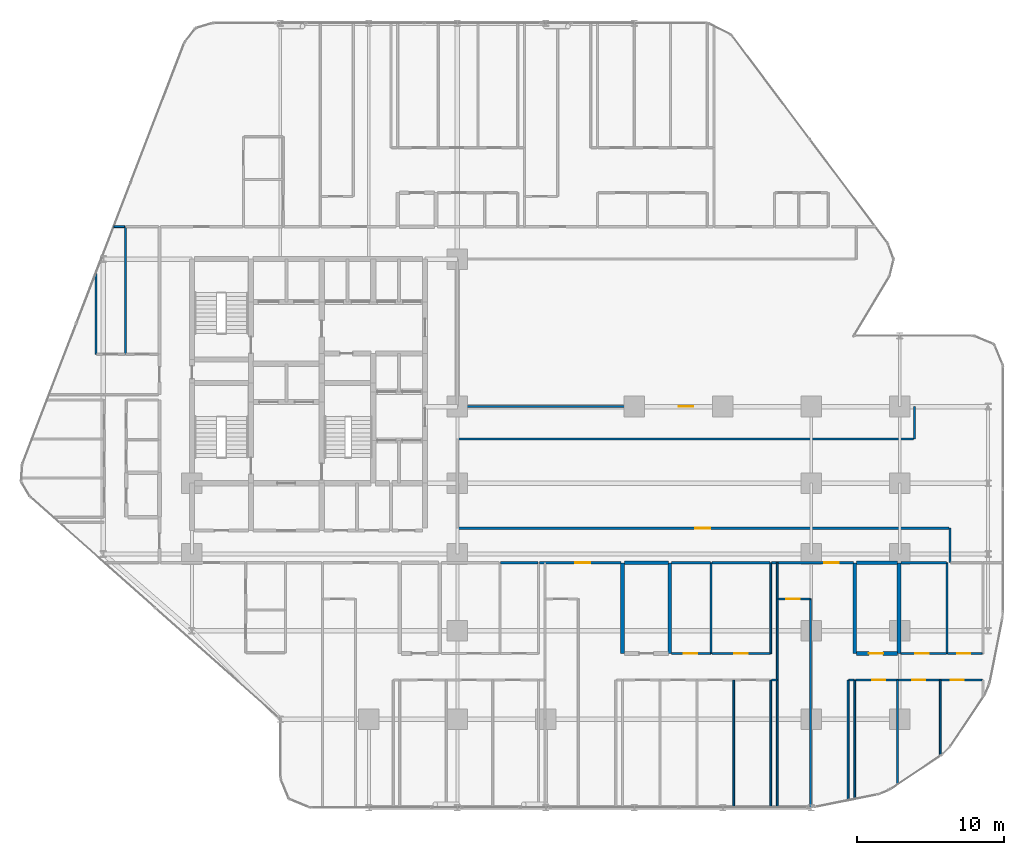
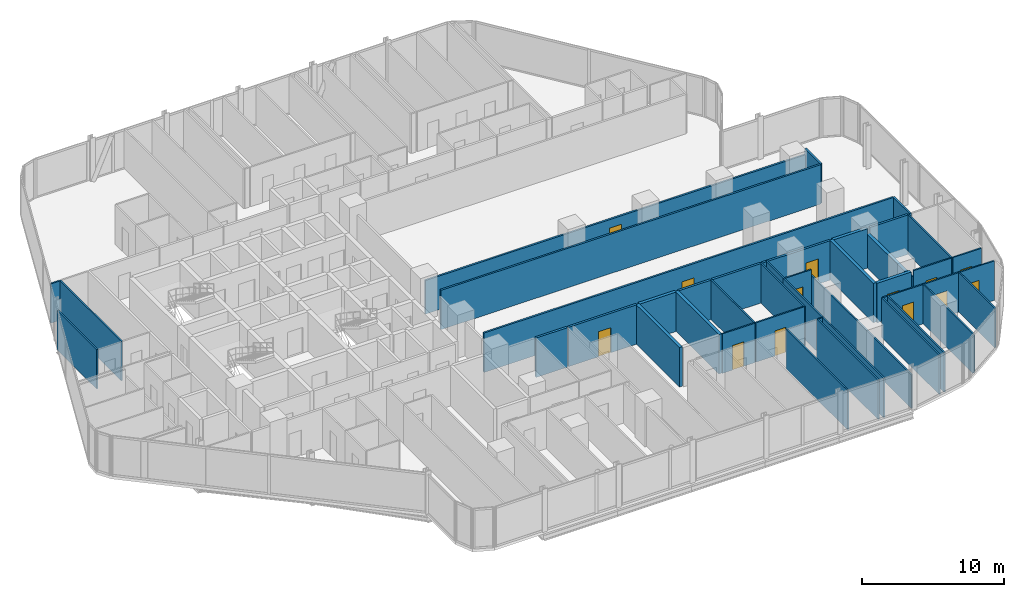
# One storey, part 29 of 33: 42 walls, 13 doors, 13 openings.
"""IFC4 building model written with IfcOpenShell, lengths in metres."""

from ifc_helpers import new_model, si_unit, direction, frame, frame_2d, origin, place, context, subcontext, project, spatial, rectangle, extrude, material, layer, layer_set, type_object, element, fill, save


model = new_model("IFC4")

# Units and contexts
model_context = context("Model", 3, precision=1e-05, world=origin(), true_north=direction((0.0, 1.0)))
body_context = subcontext(model_context, "Body", "Model", "MODEL_VIEW")
ifc_project = project(units=[si_unit("LENGTHUNIT", "METRE"), si_unit("AREAUNIT", "SQUARE_METRE"), si_unit("VOLUMEUNIT", "CUBIC_METRE"), si_unit("PLANEANGLEUNIT", "RADIAN"), si_unit("MASSUNIT", "GRAM", prefix="KILO")], contexts=[model_context])

# Site, building, storey
site_placement = place(None, origin())
site = spatial("IfcSite", under=ifc_project, at=site_placement, CompositionType="ELEMENT")
building_placement = place(site_placement, origin())
building = spatial("IfcBuilding", under=site, at=building_placement, Name="Keshet Zoharim Tower", CompositionType="ELEMENT")
storey_placement = place(building_placement, frame((0.0, 0.0, 35.10009765625)))
storey = spatial("IfcBuildingStorey", under=building, at=storey_placement, Name="L07", CompositionType="ELEMENT", Elevation=35.10009765625)

# Walls
ifc_material_1 = material(Name="Gypsum Plasterboard", Category="gypsum")
ifc_layer_1 = layer(ifc_material_1, 0.14990234375)
ifc_layer_set_1 = layer_set([ifc_layer_1], Name="Gypsum Plasterboard")
wall_type_1 = type_object("IfcWallType", Name="WL-CLIN-150", PredefinedType="STANDARD", material=ifc_layer_set_1)
wall_1_placement = place(storey_placement, frame((64.0, 25.699951171875, 0.0), z_axis=(0.0, 0.0, 1.0), x_axis=(0.0, 1.0, 0.0)))
element("IfcWall", 1, at=wall_1_placement, inside=storey, type_object=wall_type_1, Name="L07 Interior Wall 123", PredefinedType="STANDARD", context=body_context, shape_type="SweptSolid", body=[
    extrude(rectangle(XDim=2.199951171875, YDim=0.14990234375, at=frame_2d((1.10009765625, 0.0))), origin(), (0.0, 0.0, 1.0), 3.385009765625),
])
wall_2_placement = place(storey_placement, frame((66.39990234375, 17.31005859375, 0.0), z_axis=(0.0, 0.0, 1.0), x_axis=(0.0, 1.0, 0.0)))
element("IfcWall", 2, at=wall_2_placement, inside=storey, type_object=wall_type_1, Name="L07 Interior Wall 126", PredefinedType="STANDARD", context=body_context, shape_type="SweptSolid", body=[
    extrude(rectangle(XDim=2.33984375, YDim=0.14990234375, at=frame_2d((1.169921875, 0.0))), origin(), (0.0, 0.0, 1.0), 3.385009765625),
])

# Wall, opening, door
wall_3_placement = place(storey_placement, frame((33.070068359375, 19.64990234375, 0.0), z_axis=(0.0, 0.0, 1.0), x_axis=(1.0, 0.0, 0.0)))
wall_3 = element("IfcWall", 3, at=wall_3_placement, inside=storey, type_object=wall_type_1, Name="L07 Interior Wall 172", PredefinedType="STANDARD", context=body_context, shape_type="SweptSolid", body=[
    extrude(rectangle(XDim=33.27001953125, YDim=0.14990234375, at=frame_2d((16.635009765625, 0.0))), origin(), (0.0, 0.0, 1.0), 3.385009765625),
])
opening_1_placement = place(wall_3_placement, frame((16.06494140625, 0.0, 0.0)))
opening_1 = element("IfcOpeningElement", 4, at=opening_1_placement, cuts=wall_3, Name="Opening D-F310", PredefinedType="OPENING", context=body_context, shape_type="SweptSolid", body=[
    extrude(rectangle(XDim=1.0, YDim=2.14990234375, at=frame_2d((0.5, 1.074951171875))), frame((0.0, 0.0849609375, 0.0), z_axis=(0.0, -1.0, 0.0), x_axis=(1.0, 0.0, 0.0)), (0.0, 0.0, 1.0), 0.169921875),
])
ifc_material_2 = material(Name="Hardwood Timber", Category="wood")
door_type_1 = type_object("IfcDoorType", Name="DR-FD30-100", OperationType="NOTDEFINED", PredefinedType="DOOR", material=ifc_material_2)
door_1_placement = place(opening_1_placement, origin())
door_1 = element("IfcDoor", 5, at=door_1_placement, inside=storey, type_object=door_type_1, Name="L07 North East Residents Services Suite Door 1", OperationType="SINGLE_SWING_LEFT", OverallHeight=2.14990234375, OverallWidth=1.0, PredefinedType="DOOR", context=body_context, shape_type="SweptSolid", body=[
    extrude(rectangle(XDim=1.0, YDim=2.14990234375, at=frame_2d((0.5, 1.074951171875))), frame((0.0, 0.02490234375, 0.0), z_axis=(0.0, -1.0, 0.0), x_axis=(1.0, 0.0, 0.0)), (0.0, 0.0, 1.0), 0.050048828125),
])
fill(opening_1, door_1)

# Wall
wall_4_placement = place(storey_placement, frame((33.070068359375, 25.699951171875, 0.0), z_axis=(0.0, 0.0, 1.0), x_axis=(1.0, 0.0, 0.0)))
element("IfcWall", 6, at=wall_4_placement, inside=storey, type_object=wall_type_1, Name="L07 Interior Wall 186", PredefinedType="STANDARD", context=body_context, shape_type="SweptSolid", body=[
    extrude(rectangle(XDim=30.869873046875, YDim=0.14990234375, at=frame_2d((15.43505859375, 0.0))), origin(), (0.0, 0.0, 1.0), 3.385009765625),
])

# Wall, opening, door
wall_5_placement = place(storey_placement, frame((33.070068359375, 27.89990234375, 0.0), z_axis=(0.0, 0.0, 1.0), x_axis=(1.0, 0.0, 0.0)))
wall_5 = element("IfcWall", 7, at=wall_5_placement, inside=storey, type_object=wall_type_1, Name="L07 Interior Wall 187", PredefinedType="STANDARD", context=body_context, shape_type="SweptSolid", body=[
    extrude(rectangle(XDim=30.869873046875, YDim=0.14990234375, at=frame_2d((15.43505859375, 0.0))), origin(), (0.0, 0.0, 1.0), 2.885009765625),
])
opening_2_placement = place(wall_5_placement, frame((14.93505859375, 0.0, 0.0)))
opening_2 = element("IfcOpeningElement", 8, at=opening_2_placement, cuts=wall_5, Name="Opening D-F310", PredefinedType="OPENING", context=body_context, shape_type="SweptSolid", body=[
    extrude(rectangle(XDim=1.0, YDim=2.14990234375, at=frame_2d((0.5, 1.074951171875))), frame((0.0, 0.0849609375, 0.0), z_axis=(0.0, -1.0, 0.0), x_axis=(1.0, 0.0, 0.0)), (0.0, 0.0, 1.0), 0.169921875),
])
door_2_placement = place(opening_2_placement, origin())
door_2 = element("IfcDoor", 9, at=door_2_placement, inside=storey, type_object=door_type_1, Name="L07 North East Residents Services Suite Door 2", OperationType="SINGLE_SWING_LEFT", OverallHeight=2.14990234375, OverallWidth=1.0, PredefinedType="DOOR", context=body_context, shape_type="SweptSolid", body=[
    extrude(rectangle(XDim=1.0, YDim=2.14990234375, at=frame_2d((0.5, 1.074951171875))), frame((0.0, 0.02490234375, 0.0), z_axis=(0.0, -1.0, 0.0), x_axis=(1.0, 0.0, 0.0)), (0.0, 0.0, 1.0), 0.050048828125),
])
fill(opening_2, door_2)

# Wall
ifc_layer_2 = layer(ifc_material_1, 0.179931640625)
ifc_layer_set_2 = layer_set([ifc_layer_2], Name="Gypsum Plasterboard")
wall_type_2 = type_object("IfcWallType", Name="WL-CORR-180", PredefinedType="STANDARD", material=ifc_layer_set_2)
wall_6_placement = place(storey_placement, frame((35.925048828125, 17.300048828125, 0.0), z_axis=(0.0, 0.0, 1.0), x_axis=(1.0, 0.0, 0.0)))
element("IfcWall", 10, at=wall_6_placement, inside=storey, type_object=wall_type_2, Name="L07 Interior Wall 158", PredefinedType="STANDARD", context=body_context, shape_type="SweptSolid", body=[
    extrude(rectangle(XDim=2.550048828125, YDim=0.179931640625, at=frame_2d((1.27490234375, 0.0))), origin(), (0.0, 0.0, 1.0), 3.385009765625),
])

# Wall, opening, door
wall_7_placement = place(storey_placement, frame((38.56494140625, 17.300048828125, 0.0), z_axis=(0.0, 0.0, 1.0), x_axis=(1.0, 0.0, 0.0)))
wall_7 = element("IfcWall", 11, at=wall_7_placement, inside=storey, type_object=wall_type_2, Name="L07 Interior Wall 159", PredefinedType="STANDARD", context=body_context, shape_type="SweptSolid", body=[
    extrude(rectangle(XDim=5.545166015625, YDim=0.179931640625, at=frame_2d((2.7724609375, 0.0))), origin(), (0.0, 0.0, 1.0), 3.385009765625),
])
opening_3_placement = place(wall_7_placement, frame((2.43505859375, 0.0, 0.0)))
opening_3 = element("IfcOpeningElement", 12, at=opening_3_placement, cuts=wall_7, Name="Opening D-F310", PredefinedType="OPENING", context=body_context, shape_type="SweptSolid", body=[
    extrude(rectangle(XDim=1.0, YDim=2.14990234375, at=frame_2d((0.5, 1.074951171875))), frame((0.0, 0.10009765625, 0.0), z_axis=(0.0, -1.0, 0.0), x_axis=(1.0, 0.0, 0.0)), (0.0, 0.0, 1.0), 0.199951171875),
])
door_3_placement = place(opening_3_placement, origin())
door_3 = element("IfcDoor", 13, at=door_3_placement, inside=storey, type_object=door_type_1, Name="Apartment 0703 Entrance Door", OperationType="SINGLE_SWING_RIGHT", OverallHeight=2.14990234375, OverallWidth=1.0, PredefinedType="DOOR", context=body_context, shape_type="SweptSolid", body=[
    extrude(rectangle(XDim=1.0, YDim=2.14990234375, at=frame_2d((0.5, 1.074951171875))), frame((0.0, 0.02490234375, 0.0), z_axis=(0.0, -1.0, 0.0), x_axis=(1.0, 0.0, 0.0)), (0.0, 0.0, 1.0), 0.050048828125),
])
fill(opening_3, door_3)

# Walls
wall_8_placement = place(storey_placement, frame((47.52294921875, 17.300048828125, 0.0), z_axis=(0.0, 0.0, 1.0), x_axis=(1.0, 0.0, 0.0)))
element("IfcWall", 14, at=wall_8_placement, inside=storey, type_object=wall_type_2, Name="L07 Interior Wall 161", PredefinedType="STANDARD", context=body_context, shape_type="SweptSolid", body=[
    extrude(rectangle(XDim=2.656005859375, YDim=0.179931640625, at=frame_2d((1.328125, 0.0))), origin(), (0.0, 0.0, 1.0), 3.385009765625),
])
wall_9_placement = place(storey_placement, frame((50.26904296875, 17.300048828125, 0.0), z_axis=(0.0, 0.0, 1.0), x_axis=(1.0, 0.0, 0.0)))
element("IfcWall", 15, at=wall_9_placement, inside=storey, type_object=wall_type_2, Name="L07 Interior Wall 162", PredefinedType="STANDARD", context=body_context, shape_type="SweptSolid", body=[
    extrude(rectangle(XDim=3.946044921875, YDim=0.179931640625, at=frame_2d((1.97314453125, 0.0))), origin(), (0.0, 0.0, 1.0), 3.385009765625),
])

# Wall, opening, door
wall_10_placement = place(storey_placement, frame((54.304931640625, 17.300048828125, 0.0), z_axis=(0.0, 0.0, 1.0), x_axis=(1.0, 0.0, 0.0)))
wall_10 = element("IfcWall", 16, at=wall_10_placement, inside=storey, type_object=wall_type_2, Name="L07 Interior Wall 163", PredefinedType="STANDARD", context=body_context, shape_type="SweptSolid", body=[
    extrude(rectangle(XDim=5.545166015625, YDim=0.179931640625, at=frame_2d((2.7724609375, 0.0))), origin(), (0.0, 0.0, 1.0), 3.385009765625),
])
opening_4_placement = place(wall_10_placement, frame((3.56005859375, 0.0, 0.0)))
opening_4 = element("IfcOpeningElement", 17, at=opening_4_placement, cuts=wall_10, Name="Opening D-F310", PredefinedType="OPENING", context=body_context, shape_type="SweptSolid", body=[
    extrude(rectangle(XDim=1.0, YDim=2.14990234375, at=frame_2d((0.5, 1.074951171875))), frame((0.0, 0.10009765625, 0.0), z_axis=(0.0, -1.0, 0.0), x_axis=(1.0, 0.0, 0.0)), (0.0, 0.0, 1.0), 0.199951171875),
])
door_4_placement = place(opening_4_placement, origin())
door_4 = element("IfcDoor", 18, at=door_4_placement, inside=storey, type_object=door_type_1, Name="Apartment 0704 Entrance Door", OperationType="SINGLE_SWING_LEFT", OverallHeight=2.14990234375, OverallWidth=1.0, PredefinedType="DOOR", context=body_context, shape_type="SweptSolid", body=[
    extrude(rectangle(XDim=1.0, YDim=2.14990234375, at=frame_2d((0.5, 1.074951171875))), frame((0.0, 0.02490234375, 0.0), z_axis=(0.0, -1.0, 0.0), x_axis=(1.0, 0.0, 0.0)), (0.0, 0.0, 1.0), 0.050048828125),
])
fill(opening_4, door_4)

# Walls
wall_11_placement = place(storey_placement, frame((63.070068359375, 17.300048828125, 0.0), z_axis=(0.0, 0.0, 1.0), x_axis=(1.0, 0.0, 0.0)))
element("IfcWall", 19, at=wall_11_placement, inside=storey, type_object=wall_type_2, Name="L07 Interior Wall 165", PredefinedType="STANDARD", context=body_context, shape_type="SweptSolid", body=[
    extrude(rectangle(XDim=3.087890625, YDim=0.179931640625, at=frame_2d((1.5439453125, 0.0))), origin(), (0.0, 0.0, 1.0), 3.385009765625),
])
ifc_material_3 = material(Name="Concrete C50/60", Category="concrete")
ifc_layer_3 = layer(ifc_material_3, 0.25)
ifc_layer_set_3 = layer_set([ifc_layer_3], Name="Concrete C50/60")
wall_type_3 = type_object("IfcWallType", Name="WL-MAMAD-250", PredefinedType="STANDARD", material=ifc_layer_set_3)
for number, where, z_axis, x_axis, name in (
    (20, (44.199951171875, 11.14990234375, 0.0), (0.0, 0.0, 1.0), (0.0, 1.0, 0.0), "L07 Interior Wall 095"),
    (21, (47.39990234375, 11.14990234375, 0.0), (0.0, 0.0, 1.0), (0.0, 1.0, 0.0), "L07 Interior Wall 099"),
    (22, (59.949951171875, 11.14990234375, 0.0), (0.0, 0.0, 1.0), (0.0, 1.0, 0.0), "L07 Interior Wall 119"),
):
    element("IfcWall", number, at=place(storey_placement, frame(where, z_axis=z_axis, x_axis=x_axis)), inside=storey, type_object=wall_type_3, Name=name, PredefinedType="STANDARD", context=body_context, shape_type="SweptSolid", body=[
        extrude(rectangle(XDim=6.150146484375, YDim=0.25, at=frame_2d((3.0751953125, 0.0))), origin(), (0.0, 0.0, 1.0), 3.385009765625),
    ])
wall_12_placement = place(storey_placement, frame((62.949951171875, 11.14990234375, 0.0), z_axis=(0.0, 0.0, 1.0), x_axis=(0.0, 1.0, 0.0)))
element("IfcWall", 23, at=wall_12_placement, inside=storey, type_object=wall_type_3, Name="L07 Interior Wall 122", PredefinedType="STANDARD", context=body_context, shape_type="SweptSolid", body=[
    extrude(rectangle(XDim=6.150146484375, YDim=0.25, at=frame_2d((3.0751953125, 0.0))), origin(), (0.0, 0.0, 1.0), 2.885009765625),
])

# Wall, opening, door
wall_13_placement = place(storey_placement, frame((60.070068359375, 11.14990234375, 0.0), z_axis=(0.0, 0.0, 1.0), x_axis=(1.0, 0.0, 0.0)))
wall_13 = element("IfcWall", 24, at=wall_13_placement, inside=storey, type_object=wall_type_3, Name="L07 Interior Wall 143", PredefinedType="STANDARD", context=body_context, shape_type="SweptSolid", body=[
    extrude(rectangle(XDim=2.780029296875, YDim=0.25, at=frame_2d((1.39013671875, 0.0))), origin(), (0.0, 0.0, 1.0), 3.385009765625),
])
opening_5_placement = place(wall_13_placement, frame((0.844970703125, 0.0, 0.0)))
opening_5 = element("IfcOpeningElement", 25, at=opening_5_placement, cuts=wall_13, Name="Opening D-F695", PredefinedType="OPENING", context=body_context, shape_type="SweptSolid", body=[
    extrude(rectangle(XDim=0.949951171875, YDim=2.14990234375, at=frame_2d((0.47509765625, 1.074951171875))), frame((0.0, 0.135009765625, 0.0), z_axis=(0.0, -1.0, 0.0), x_axis=(1.0, 0.0, 0.0)), (0.0, 0.0, 1.0), 0.27001953125),
])
door_type_2 = type_object("IfcDoorType", Name="DR-FD60-095", OperationType="NOTDEFINED", PredefinedType="DOOR", material=ifc_material_2)
door_5_placement = place(opening_5_placement, origin())
door_5 = element("IfcDoor", 26, at=door_5_placement, inside=storey, type_object=door_type_2, Name="Apartment 0704 Study and Shelter Room Door", OperationType="SINGLE_SWING_RIGHT", OverallHeight=2.14990234375, OverallWidth=0.949951171875, PredefinedType="DOOR", context=body_context, shape_type="SweptSolid", body=[
    extrude(rectangle(XDim=0.949951171875, YDim=2.14990234375, at=frame_2d((0.47509765625, 1.074951171875))), frame((0.0, 0.02490234375, 0.0), z_axis=(0.0, -1.0, 0.0), x_axis=(1.0, 0.0, 0.0)), (0.0, 0.0, 1.0), 0.050048828125),
])
fill(opening_5, door_5)

# Walls
wall_14_placement = place(storey_placement, frame((44.330078125, 17.300048828125, 0.0), z_axis=(0.0, 0.0, 1.0), x_axis=(1.0, 0.0, 0.0)))
element("IfcWall", 27, at=wall_14_placement, inside=storey, type_object=wall_type_3, Name="L07 Interior Wall 160", PredefinedType="STANDARD", context=body_context, shape_type="SweptSolid", body=[
    extrude(rectangle(XDim=2.972900390625, YDim=0.25, at=frame_2d((1.486328125, 0.0))), origin(), (0.0, 0.0, 1.0), 3.385009765625),
])
wall_15_placement = place(storey_placement, frame((60.070068359375, 17.300048828125, 0.0), z_axis=(0.0, 0.0, 1.0), x_axis=(1.0, 0.0, 0.0)))
element("IfcWall", 28, at=wall_15_placement, inside=storey, type_object=wall_type_3, Name="L07 Interior Wall 164", PredefinedType="STANDARD", context=body_context, shape_type="SweptSolid", body=[
    extrude(rectangle(XDim=2.780029296875, YDim=0.25, at=frame_2d((1.39013671875, 0.0))), origin(), (0.0, 0.0, 1.0), 3.385009765625),
])
ifc_layer_4 = layer(ifc_material_1, 0.1201171875)
ifc_layer_set_4 = layer_set([ifc_layer_4], Name="Gypsum Plasterboard")
wall_type_4 = type_object("IfcWallType", Name="WL-PART-120", PredefinedType="PARTITIONING", material=ifc_layer_set_4)
wall_16_placement = place(storey_placement, frame((8.5, 31.449951171875, 0.0), z_axis=(0.0, 0.0, 1.0), x_axis=(0.0, 1.0, 0.0)))
element("IfcWall", 29, at=wall_16_placement, inside=storey, type_object=wall_type_4, Name="L07 Interior Wall 001", PredefinedType="PARTITIONING", context=body_context, shape_type="SweptSolid", body=[
    extrude(rectangle(XDim=5.5400390625, YDim=0.1201171875, at=frame_2d((2.77001953125, 0.0))), origin(), (0.0, 0.0, 1.0), 3.385009765625),
])
for number, where, z_axis, x_axis, name in (
    (30, (51.75, 0.7099609375, 0.0), (0.0, 0.0, 1.0), (0.0, 1.0, 0.0), "L07 Interior Wall 107"),
    (31, (54.25, 0.7099609375, 0.0), (0.0, 0.0, 1.0), (0.0, 1.0, 0.0), "L07 Interior Wall 108"),
):
    element("IfcWall", number, at=place(storey_placement, frame(where, z_axis=z_axis, x_axis=x_axis)), inside=storey, type_object=wall_type_4, Name=name, PredefinedType="PARTITIONING", context=body_context, shape_type="SweptSolid", body=[
        extrude(rectangle(XDim=8.64013671875, YDim=0.1201171875, at=frame_2d((4.320068359375, 0.0))), origin(), (0.0, 0.0, 1.0), 3.385009765625),
    ])
wall_17_placement = place(storey_placement, frame((54.25, 11.14990234375, 0.0), z_axis=(0.0, 0.0, 1.0), x_axis=(0.0, 1.0, 0.0)))
element("IfcWall", 32, at=wall_17_placement, inside=storey, type_object=wall_type_4, Name="L07 Interior Wall 109", PredefinedType="PARTITIONING", context=body_context, shape_type="SweptSolid", body=[
    extrude(rectangle(XDim=6.150146484375, YDim=0.1201171875, at=frame_2d((3.0751953125, 0.0))), origin(), (0.0, 0.0, 1.0), 3.385009765625),
])
wall_18_placement = place(storey_placement, frame((54.699951171875, 0.7099609375, 0.0), z_axis=(0.0, 0.0, 1.0), x_axis=(0.0, 1.0, 0.0)))
element("IfcWall", 33, at=wall_18_placement, inside=storey, type_object=wall_type_4, Name="L07 Interior Wall 111", PredefinedType="PARTITIONING", context=body_context, shape_type="SweptSolid", body=[
    extrude(rectangle(XDim=8.64013671875, YDim=0.1201171875, at=frame_2d((4.320068359375, 0.0))), origin(), (0.0, 0.0, 1.0), 3.385009765625),
])
wall_19_placement = place(storey_placement, frame((54.699951171875, 9.35009765625, 0.0), z_axis=(0.0, 0.0, 1.0), x_axis=(0.0, 1.0, 0.0)))
element("IfcWall", 34, at=wall_19_placement, inside=storey, type_object=wall_type_4, Name="L07 Interior Wall 112", PredefinedType="PARTITIONING", context=body_context, shape_type="SweptSolid", body=[
    extrude(rectangle(XDim=5.5, YDim=0.1201171875, at=frame_2d((2.75, 0.0))), origin(), (0.0, 0.0, 1.0), 3.385009765625),
])
wall_20_placement = place(storey_placement, frame((54.699951171875, 14.85009765625, 0.0), z_axis=(0.0, 0.0, 1.0), x_axis=(0.0, 1.0, 0.0)))
element("IfcWall", 35, at=wall_20_placement, inside=storey, type_object=wall_type_4, Name="L07 Interior Wall 113", PredefinedType="PARTITIONING", context=body_context, shape_type="SweptSolid", body=[
    extrude(rectangle(XDim=2.449951171875, YDim=0.1201171875, at=frame_2d((1.22509765625, 0.0))), origin(), (0.0, 0.0, 1.0), 3.385009765625),
])
wall_21_placement = place(storey_placement, frame((56.949951171875, 0.72412109375, 0.0), z_axis=(0.0, 0.0, 1.0), x_axis=(0.0, 1.0, 0.0)))
element("IfcWall", 36, at=wall_21_placement, inside=storey, type_object=wall_type_4, Name="L07 Interior Wall 115", PredefinedType="PARTITIONING", context=body_context, shape_type="SweptSolid", body=[
    extrude(rectangle(XDim=14.1259765625, YDim=0.1201171875, at=frame_2d((7.06298828125, 0.0))), origin(), (0.0, 0.0, 1.0), 2.885009765625),
])
wall_22_placement = place(storey_placement, frame((59.5, 1.20703125, 0.0), z_axis=(0.0, 0.0, 1.0), x_axis=(0.0, 1.0, 0.0)))
element("IfcWall", 37, at=wall_22_placement, inside=storey, type_object=wall_type_4, Name="L07 Interior Wall 117", PredefinedType="PARTITIONING", context=body_context, shape_type="SweptSolid", body=[
    extrude(rectangle(XDim=8.14306640625, YDim=0.1201171875, at=frame_2d((4.071533203125, 0.0))), origin(), (0.0, 0.0, 1.0), 3.385009765625),
])
wall_23_placement = place(storey_placement, frame((59.949951171875, 1.297119140625, 0.0), z_axis=(0.0, 0.0, 1.0), x_axis=(0.0, 1.0, 0.0)))
element("IfcWall", 38, at=wall_23_placement, inside=storey, type_object=wall_type_4, Name="L07 Interior Wall 118", PredefinedType="PARTITIONING", context=body_context, shape_type="SweptSolid", body=[
    extrude(rectangle(XDim=8.052978515625, YDim=0.1201171875, at=frame_2d((4.0263671875, 0.0))), origin(), (0.0, 0.0, 1.0), 3.385009765625),
])
wall_24_placement = place(storey_placement, frame((62.85009765625, 2.283935546875, 0.0), z_axis=(0.0, 0.0, 1.0), x_axis=(0.0, 1.0, 0.0)))
element("IfcWall", 39, at=wall_24_placement, inside=storey, type_object=wall_type_4, Name="L07 Interior Wall 121", PredefinedType="PARTITIONING", context=body_context, shape_type="SweptSolid", body=[
    extrude(rectangle(XDim=7.066162109375, YDim=0.1201171875, at=frame_2d((3.533203125, 0.0))), origin(), (0.0, 0.0, 1.0), 3.385009765625),
])
wall_25_placement = place(storey_placement, frame((65.75, 4.221923828125, 0.0), z_axis=(0.0, 0.0, 1.0), x_axis=(0.0, 1.0, 0.0)))
element("IfcWall", 40, at=wall_25_placement, inside=storey, type_object=wall_type_4, Name="L07 Interior Wall 124", PredefinedType="PARTITIONING", context=body_context, shape_type="SweptSolid", body=[
    extrude(rectangle(XDim=5.128173828125, YDim=0.1201171875, at=frame_2d((2.56396484375, 0.0))), origin(), (0.0, 0.0, 1.0), 3.385009765625),
])
for number, where, z_axis, x_axis, name in (
    (41, (54.304931640625, 9.35009765625, 0.0), (0.0, 0.0, 1.0), (1.0, 0.0, 0.0), "L07 Interior Wall 134"),
    (42, (59.554931640625, 9.35009765625, 0.0), (0.0, 0.0, 1.0), (1.0, 0.0, 0.0), "L07 Interior Wall 135"),
):
    element("IfcWall", number, at=place(storey_placement, frame(where, z_axis=z_axis, x_axis=x_axis)), inside=storey, type_object=wall_type_4, Name=name, PredefinedType="PARTITIONING", context=body_context, shape_type="SweptSolid", body=[
        extrude(rectangle(XDim=0.360107421875, YDim=0.1201171875, at=frame_2d((0.18017578125, 0.0))), origin(), (0.0, 0.0, 1.0), 3.385009765625),
    ])

# Wall, openings, doors
wall_26_placement = place(storey_placement, frame((60.0048828125, 9.35009765625, 0.0), z_axis=(0.0, 0.0, 1.0), x_axis=(1.0, 0.0, 0.0)))
wall_26 = element("IfcWall", 43, at=wall_26_placement, inside=storey, type_object=wall_type_4, Name="L07 Interior Wall 136", PredefinedType="PARTITIONING", context=body_context, shape_type="SweptSolid", body=[
    extrude(rectangle(XDim=8.5810546875, YDim=0.1201171875, at=frame_2d((4.29052734375, 0.0))), origin(), (0.0, 0.0, 1.0), 3.385009765625),
])
opening_6_placement = place(wall_26_placement, frame((1.125, 0.0, 0.0)))
opening_6 = element("IfcOpeningElement", 44, at=opening_6_placement, cuts=wall_26, Name="Opening D-IN90", PredefinedType="OPENING", context=body_context, shape_type="SweptSolid", body=[
    extrude(rectangle(XDim=0.89990234375, YDim=2.14990234375, at=frame_2d((0.449951171875, 1.074951171875))), frame((0.0, 0.070068359375, 0.0), z_axis=(0.0, -1.0, 0.0), x_axis=(1.0, 0.0, 0.0)), (0.0, 0.0, 1.0), 0.14013671875),
])
opening_7_placement = place(wall_26_placement, frame((3.841064453125, 0.0, 0.0)))
opening_7 = element("IfcOpeningElement", 45, at=opening_7_placement, cuts=wall_26, Name="Opening D-IN90", PredefinedType="OPENING", context=body_context, shape_type="SweptSolid", body=[
    extrude(rectangle(XDim=0.89990234375, YDim=2.14990234375, at=frame_2d((0.449951171875, 1.074951171875))), frame((0.0, 0.070068359375, 0.0), z_axis=(0.0, -1.0, 0.0), x_axis=(1.0, 0.0, 0.0)), (0.0, 0.0, 1.0), 0.14013671875),
])
opening_8_placement = place(wall_26_placement, frame((6.43994140625, 0.0, 0.0)))
opening_8 = element("IfcOpeningElement", 46, at=opening_8_placement, cuts=wall_26, Name="Opening D-IN90", PredefinedType="OPENING", context=body_context, shape_type="SweptSolid", body=[
    extrude(rectangle(XDim=0.89990234375, YDim=2.14990234375, at=frame_2d((0.449951171875, 1.074951171875))), frame((0.0, 0.070068359375, 0.0), z_axis=(0.0, -1.0, 0.0), x_axis=(1.0, 0.0, 0.0)), (0.0, 0.0, 1.0), 0.14013671875),
])
door_type_3 = type_object("IfcDoorType", Name="DR-INT-090", OperationType="NOTDEFINED", PredefinedType="DOOR", material=ifc_material_2)
door_6_placement = place(opening_6_placement, origin())
door_6 = element("IfcDoor", 47, at=door_6_placement, inside=storey, type_object=door_type_3, Name="Apartment 0704 Bedroom 1 Door", OperationType="SINGLE_SWING_LEFT", OverallHeight=2.14990234375, OverallWidth=0.89990234375, PredefinedType="DOOR", context=body_context, shape_type="SweptSolid", body=[
    extrude(rectangle(XDim=0.89990234375, YDim=2.14990234375, at=frame_2d((0.449951171875, 1.074951171875))), frame((0.0, 0.02490234375, 0.0), z_axis=(0.0, -1.0, 0.0), x_axis=(1.0, 0.0, 0.0)), (0.0, 0.0, 1.0), 0.050048828125),
])
fill(opening_6, door_6)
door_7_placement = place(opening_7_placement, origin())
door_7 = element("IfcDoor", 48, at=door_7_placement, inside=storey, type_object=door_type_3, Name="Apartment 0704 Bedroom 2 Door", OperationType="SINGLE_SWING_RIGHT", OverallHeight=2.14990234375, OverallWidth=0.89990234375, PredefinedType="DOOR", context=body_context, shape_type="SweptSolid", body=[
    extrude(rectangle(XDim=0.89990234375, YDim=2.14990234375, at=frame_2d((0.449951171875, 1.074951171875))), frame((0.0, 0.02490234375, 0.0), z_axis=(0.0, -1.0, 0.0), x_axis=(1.0, 0.0, 0.0)), (0.0, 0.0, 1.0), 0.050048828125),
])
fill(opening_7, door_7)
door_8_placement = place(opening_8_placement, origin())
door_8 = element("IfcDoor", 49, at=door_8_placement, inside=storey, type_object=door_type_3, Name="Apartment 0704 Bedroom 3 Door", OperationType="SINGLE_SWING_LEFT", OverallHeight=2.14990234375, OverallWidth=0.89990234375, PredefinedType="DOOR", context=body_context, shape_type="SweptSolid", body=[
    extrude(rectangle(XDim=0.89990234375, YDim=2.14990234375, at=frame_2d((0.449951171875, 1.074951171875))), frame((0.0, 0.02490234375, 0.0), z_axis=(0.0, -1.0, 0.0), x_axis=(1.0, 0.0, 0.0)), (0.0, 0.0, 1.0), 0.050048828125),
])
fill(opening_8, door_8)

# Wall, opening, door
wall_27_placement = place(storey_placement, frame((50.26904296875, 11.14990234375, 0.0), z_axis=(0.0, 0.0, 1.0), x_axis=(1.0, 0.0, 0.0)))
wall_27 = element("IfcWall", 50, at=wall_27_placement, inside=storey, type_object=wall_type_4, Name="L07 Interior Wall 142", PredefinedType="PARTITIONING", context=body_context, shape_type="SweptSolid", body=[
    extrude(rectangle(XDim=3.946044921875, YDim=0.1201171875, at=frame_2d((1.97314453125, 0.0))), origin(), (0.0, 0.0, 1.0), 3.385009765625),
])
opening_9_placement = place(wall_27_placement, frame((1.52294921875, 0.0, 0.0)))
opening_9 = element("IfcOpeningElement", 51, at=opening_9_placement, cuts=wall_27, Name="Opening D-IN90", PredefinedType="OPENING", context=body_context, shape_type="SweptSolid", body=[
    extrude(rectangle(XDim=0.89990234375, YDim=2.14990234375, at=frame_2d((0.449951171875, 1.074951171875))), frame((0.0, 0.070068359375, 0.0), z_axis=(0.0, -1.0, 0.0), x_axis=(1.0, 0.0, 0.0)), (0.0, 0.0, 1.0), 0.14013671875),
])
door_9_placement = place(opening_9_placement, origin())
door_9 = element("IfcDoor", 52, at=door_9_placement, inside=storey, type_object=door_type_3, Name="Apartment 0703 Kitchen Door", OperationType="SINGLE_SWING_LEFT", OverallHeight=2.14990234375, OverallWidth=0.89990234375, PredefinedType="DOOR", context=body_context, shape_type="SweptSolid", body=[
    extrude(rectangle(XDim=0.89990234375, YDim=2.14990234375, at=frame_2d((0.449951171875, 1.074951171875))), frame((0.0, 0.02490234375, 0.0), z_axis=(0.0, -1.0, 0.0), x_axis=(1.0, 0.0, 0.0)), (0.0, 0.0, 1.0), 0.050048828125),
])
fill(opening_9, door_9)

wall_28_placement = place(storey_placement, frame((63.070068359375, 11.14990234375, 0.0), z_axis=(0.0, 0.0, 1.0), x_axis=(1.0, 0.0, 0.0)))
wall_28 = element("IfcWall", 53, at=wall_28_placement, inside=storey, type_object=wall_type_4, Name="L07 Interior Wall 144", PredefinedType="PARTITIONING", context=body_context, shape_type="SweptSolid", body=[
    extrude(rectangle(XDim=3.087890625, YDim=0.1201171875, at=frame_2d((1.5439453125, 0.0))), origin(), (0.0, 0.0, 1.0), 3.385009765625),
])
opening_10_placement = place(wall_28_placement, frame((0.990966796875, 0.0, 0.0)))
opening_10 = element("IfcOpeningElement", 54, at=opening_10_placement, cuts=wall_28, Name="Opening D-IN90", PredefinedType="OPENING", context=body_context, shape_type="SweptSolid", body=[
    extrude(rectangle(XDim=0.89990234375, YDim=2.14990234375, at=frame_2d((0.449951171875, 1.074951171875))), frame((0.0, 0.070068359375, 0.0), z_axis=(0.0, -1.0, 0.0), x_axis=(1.0, 0.0, 0.0)), (0.0, 0.0, 1.0), 0.14013671875),
])
door_10_placement = place(opening_10_placement, origin())
door_10 = element("IfcDoor", 55, at=door_10_placement, inside=storey, type_object=door_type_3, Name="Apartment 0704 Kitchen Door", OperationType="SINGLE_SWING_LEFT", OverallHeight=2.14990234375, OverallWidth=0.89990234375, PredefinedType="DOOR", context=body_context, shape_type="SweptSolid", body=[
    extrude(rectangle(XDim=0.89990234375, YDim=2.14990234375, at=frame_2d((0.449951171875, 1.074951171875))), frame((0.0, 0.02490234375, 0.0), z_axis=(0.0, -1.0, 0.0), x_axis=(1.0, 0.0, 0.0)), (0.0, 0.0, 1.0), 0.050048828125),
])
fill(opening_10, door_10)

wall_29_placement = place(storey_placement, frame((54.7548828125, 14.85009765625, 0.0), z_axis=(0.0, 0.0, 1.0), x_axis=(1.0, 0.0, 0.0)))
wall_29 = element("IfcWall", 56, at=wall_29_placement, inside=storey, type_object=wall_type_4, Name="L07 Interior Wall 150", PredefinedType="PARTITIONING", context=body_context, shape_type="SweptSolid", body=[
    extrude(rectangle(XDim=2.16015625, YDim=0.1201171875, at=frame_2d((1.080078125, 0.0))), origin(), (0.0, 0.0, 1.0), 3.385009765625),
])
opening_11_placement = place(wall_29_placement, frame((0.552978515625, 0.0, 0.0)))
opening_11 = element("IfcOpeningElement", 57, at=opening_11_placement, cuts=wall_29, Name="Opening D-IN90", PredefinedType="OPENING", context=body_context, shape_type="SweptSolid", body=[
    extrude(rectangle(XDim=0.89990234375, YDim=2.14990234375, at=frame_2d((0.449951171875, 1.074951171875))), frame((0.0, 0.070068359375, 0.0), z_axis=(0.0, -1.0, 0.0), x_axis=(1.0, 0.0, 0.0)), (0.0, 0.0, 1.0), 0.14013671875),
])
door_11_placement = place(opening_11_placement, origin())
door_11 = element("IfcDoor", 58, at=door_11_placement, inside=storey, type_object=door_type_3, Name="Apartment 0704 Formal Dining Room Door", OperationType="SINGLE_SWING_LEFT", OverallHeight=2.14990234375, OverallWidth=0.89990234375, PredefinedType="DOOR", context=body_context, shape_type="SweptSolid", body=[
    extrude(rectangle(XDim=0.89990234375, YDim=2.14990234375, at=frame_2d((0.449951171875, 1.074951171875))), frame((0.0, 0.02490234375, 0.0), z_axis=(0.0, -1.0, 0.0), x_axis=(1.0, 0.0, 0.0)), (0.0, 0.0, 1.0), 0.050048828125),
])
fill(opening_11, door_11)

# Walls
wall_30_placement = place(storey_placement, frame((9.701904296875, 40.10009765625, 0.0), z_axis=(0.0, 0.0, 1.0), x_axis=(1.0, 0.0, 0.0)))
element("IfcWall", 59, at=wall_30_placement, inside=storey, type_object=wall_type_4, Name="L07 Interior Wall 206", PredefinedType="PARTITIONING", context=body_context, shape_type="SweptSolid", body=[
    extrude(rectangle(XDim=0.731201171875, YDim=0.1201171875, at=frame_2d((0.36572265625, 0.0))), origin(), (0.0, 0.0, 1.0), 3.385009765625),
])
ifc_layer_5 = layer(ifc_material_1, 0.1201171875)
ifc_layer_set_5 = layer_set([ifc_layer_5], Name="Gypsum Plasterboard")
wall_type_5 = type_object("IfcWallType", Name="WL-WET-120", PredefinedType="PARTITIONING", material=ifc_layer_set_5)
wall_31_placement = place(storey_placement, frame((10.5, 31.449951171875, 0.0), z_axis=(0.0, 0.0, 1.0), x_axis=(0.0, 1.0, 0.0)))
element("IfcWall", 60, at=wall_31_placement, inside=storey, type_object=wall_type_5, Name="L07 Interior Wall 003", PredefinedType="PARTITIONING", context=body_context, shape_type="SweptSolid", body=[
    extrude(rectangle(XDim=8.650146484375, YDim=0.1201171875, at=frame_2d((4.3251953125, 0.0))), origin(), (0.0, 0.0, 1.0), 3.385009765625),
])
for number, where, z_axis, x_axis, name in (
    (61, (50.199951171875, 11.14990234375, 0.0), (0.0, 0.0, 1.0), (0.0, 1.0, 0.0), "L07 Interior Wall 104"),
    (62, (66.199951171875, 11.14990234375, 0.0), (0.0, 0.0, 1.0), (0.0, 1.0, 0.0), "L07 Interior Wall 125"),
):
    element("IfcWall", number, at=place(storey_placement, frame(where, z_axis=z_axis, x_axis=x_axis)), inside=storey, type_object=wall_type_5, Name=name, PredefinedType="PARTITIONING", context=body_context, shape_type="SweptSolid", body=[
        extrude(rectangle(XDim=6.150146484375, YDim=0.1201171875, at=frame_2d((3.0751953125, 0.0))), origin(), (0.0, 0.0, 1.0), 3.385009765625),
    ])

# Wall, opening, door
wall_32_placement = place(storey_placement, frame((47.52294921875, 11.14990234375, 0.0), z_axis=(0.0, 0.0, 1.0), x_axis=(1.0, 0.0, 0.0)))
wall_32 = element("IfcWall", 63, at=wall_32_placement, inside=storey, type_object=wall_type_5, Name="L07 Interior Wall 141", PredefinedType="PARTITIONING", context=body_context, shape_type="SweptSolid", body=[
    extrude(rectangle(XDim=2.656005859375, YDim=0.1201171875, at=frame_2d((1.328125, 0.0))), origin(), (0.0, 0.0, 1.0), 3.385009765625),
])
opening_12_placement = place(wall_32_placement, frame((0.845947265625, 0.0, 0.0)))
opening_12 = element("IfcOpeningElement", 64, at=opening_12_placement, cuts=wall_32, Name="Opening D-WT90", PredefinedType="OPENING", context=body_context, shape_type="SweptSolid", body=[
    extrude(rectangle(XDim=0.89990234375, YDim=2.10009765625, at=frame_2d((0.449951171875, 1.050048828125))), frame((0.0, 0.070068359375, 0.0), z_axis=(0.0, -1.0, 0.0), x_axis=(1.0, 0.0, 0.0)), (0.0, 0.0, 1.0), 0.14013671875),
])
door_type_4 = type_object("IfcDoorType", Name="DR-WET-090", OperationType="NOTDEFINED", PredefinedType="DOOR", material=ifc_material_2)
door_12_placement = place(opening_12_placement, origin())
door_12 = element("IfcDoor", 65, at=door_12_placement, inside=storey, type_object=door_type_4, Name="Apartment 0703 Bathroom Door", OperationType="SINGLE_SWING_RIGHT", OverallHeight=2.10009765625, OverallWidth=0.89990234375, PredefinedType="DOOR", context=body_context, shape_type="SweptSolid", body=[
    extrude(rectangle(XDim=0.89990234375, YDim=2.10009765625, at=frame_2d((0.449951171875, 1.050048828125))), frame((0.0, 0.02490234375, 0.0), z_axis=(0.0, -1.0, 0.0), x_axis=(1.0, 0.0, 0.0)), (0.0, 0.0, 1.0), 0.050048828125),
])
fill(opening_12, door_12)

wall_33_placement = place(storey_placement, frame((66.248046875, 11.14990234375, 0.0), z_axis=(0.0, 0.0, 1.0), x_axis=(1.0, 0.0, 0.0)))
wall_33 = element("IfcWall", 66, at=wall_33_placement, inside=storey, type_object=wall_type_5, Name="L07 Interior Wall 145", PredefinedType="PARTITIONING", context=body_context, shape_type="SweptSolid", body=[
    extrude(rectangle(XDim=2.337890625, YDim=0.1201171875, at=frame_2d((1.1689453125, 0.0))), origin(), (0.0, 0.0, 1.0), 3.385009765625),
])
opening_13_placement = place(wall_33_placement, frame((0.64599609375, 0.0, 0.0)))
opening_13 = element("IfcOpeningElement", 67, at=opening_13_placement, cuts=wall_33, Name="Opening D-WT90", PredefinedType="OPENING", context=body_context, shape_type="SweptSolid", body=[
    extrude(rectangle(XDim=0.89990234375, YDim=2.10009765625, at=frame_2d((0.449951171875, 1.050048828125))), frame((0.0, 0.070068359375, 0.0), z_axis=(0.0, -1.0, 0.0), x_axis=(1.0, 0.0, 0.0)), (0.0, 0.0, 1.0), 0.14013671875),
])
door_13_placement = place(opening_13_placement, origin())
door_13 = element("IfcDoor", 68, at=door_13_placement, inside=storey, type_object=door_type_4, Name="Apartment 0704 Bathroom Door", OperationType="SINGLE_SWING_RIGHT", OverallHeight=2.10009765625, OverallWidth=0.89990234375, PredefinedType="DOOR", context=body_context, shape_type="SweptSolid", body=[
    extrude(rectangle(XDim=0.89990234375, YDim=2.10009765625, at=frame_2d((0.449951171875, 1.050048828125))), frame((0.0, 0.02490234375, 0.0), z_axis=(0.0, -1.0, 0.0), x_axis=(1.0, 0.0, 0.0)), (0.0, 0.0, 1.0), 0.050048828125),
])
fill(opening_13, door_13)

save(model, "model.ifc")
